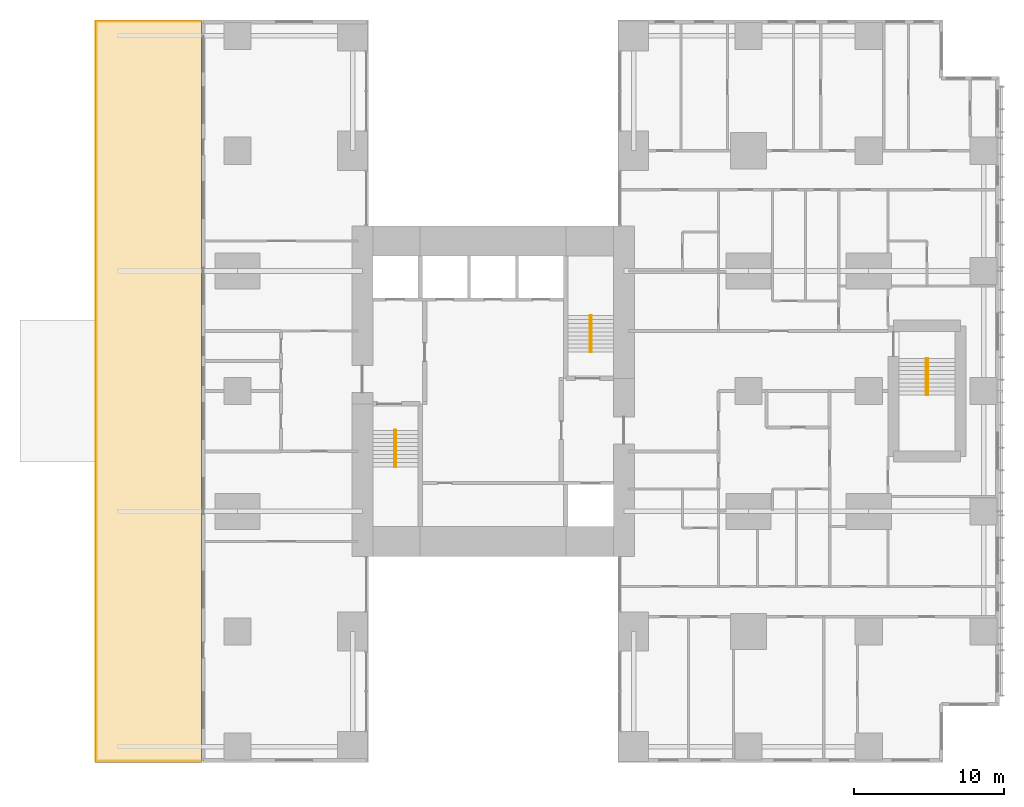
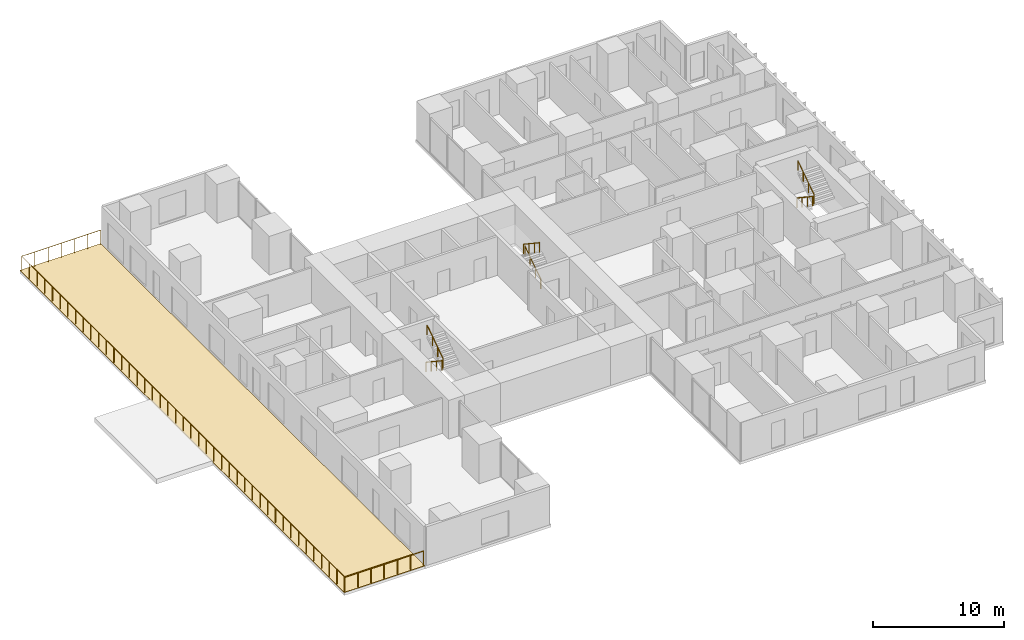
# One storey, part 15 of 15: 8 railings, 2 coverings.
"""IFC4 building model written with IfcOpenShell, lengths in metres."""

from ifc_helpers import new_model, si_unit, direction, frame, origin, origin_2d, place, context, subcontext, project, spatial, polyline, circle, outline, extrude, material, layer, layer_set, type_object, element, save


model = new_model("IFC4")

# Units and contexts
model_context = context("Model", 3, precision=1e-05, world=origin(), true_north=direction((0.0, 1.0)))
body_context = subcontext(model_context, "Body", "Model", "MODEL_VIEW")
ifc_project = project(units=[si_unit("LENGTHUNIT", "METRE"), si_unit("AREAUNIT", "SQUARE_METRE"), si_unit("VOLUMEUNIT", "CUBIC_METRE"), si_unit("PLANEANGLEUNIT", "RADIAN"), si_unit("MASSUNIT", "GRAM", prefix="KILO")], contexts=[model_context])

# Site, building, storey
site_placement = place(None, origin())
site = spatial("IfcSite", under=ifc_project, at=site_placement, CompositionType="ELEMENT")
building_placement = place(site_placement, origin())
building = spatial("IfcBuilding", under=site, at=building_placement, Name="Cleftline Residences", CompositionType="ELEMENT")
storey_placement = place(building_placement, frame((0.0, 0.0, 221.800048828125)))
storey = spatial("IfcBuildingStorey", under=building, at=storey_placement, Name="L58", CompositionType="ELEMENT", Elevation=221.800048828125)

# Railings
ifc_material_1 = material(Name="Stainless steel", Category="steel")
railing_type_1 = type_object("IfcRailingType", Name="HANDRAIL 900", PredefinedType="HANDRAIL", material=ifc_material_1)
railing_1_placement = place(storey_placement, frame((26.449951171875, 21.39990234375, 0.179931640625)))
element("IfcRailing", 1, at=railing_1_placement, inside=storey, type_object=railing_type_1, Name="Stair handrail", PredefinedType="HANDRAIL", context=body_context, shape_type="SweptSolid", body=[
    extrude(circle(Radius=0.02392578125, at=origin_2d()), frame((0.0, 0.0, 0.8759765625), z_axis=(0.0, -0.832024571796, 0.554738778101), x_axis=(1.0, 0.0, 0.0)), (0.0, 0.0, 1.0), 2.92041015625),
    extrude(circle(Radius=0.02099609375, at=origin_2d()), origin(), (0.0, 0.0, 1.0), 0.851806640625),
    extrude(circle(Radius=0.02099609375, at=origin_2d()), frame((0.0, -0.81005859375, 0.5400390625)), (0.0, 0.0, 1.0), 0.851806640625),
    extrude(circle(Radius=0.02099609375, at=origin_2d()), frame((0.0, -1.619873046875, 1.080078125)), (0.0, 0.0, 1.0), 0.851806640625),
    extrude(circle(Radius=0.02099609375, at=origin_2d()), frame((0.0, -2.429931640625, 1.6201171875)), (0.0, 0.0, 1.0), 0.851806640625),
])
railing_2_placement = place(storey_placement, frame((26.550048828125, 18.969970703125, 1.97998046875)))
element("IfcRailing", 2, at=railing_2_placement, inside=storey, type_object=railing_type_1, Name="Stair handrail", PredefinedType="HANDRAIL", context=body_context, shape_type="SweptSolid", body=[
    extrude(circle(Radius=0.02392578125, at=origin_2d()), frame((0.0, 0.0, 0.8759765625), z_axis=(0.0, 0.832063155534, 0.554680903946), x_axis=(-1.0, 0.0, 0.0)), (0.0, 0.0, 1.0), 2.92041015625),
    extrude(circle(Radius=0.02099609375, at=origin_2d()), origin(), (0.0, 0.0, 1.0), 0.851806640625),
    extrude(circle(Radius=0.02099609375, at=origin_2d()), frame((0.0, 0.81005859375, 0.5400390625)), (0.0, 0.0, 1.0), 0.851806640625),
    extrude(circle(Radius=0.02099609375, at=origin_2d()), frame((0.0, 1.619873046875, 1.079833984375)), (0.0, 0.0, 1.0), 0.851806640625),
    extrude(circle(Radius=0.02099609375, at=origin_2d()), frame((0.0, 2.429931640625, 1.619873046875)), (0.0, 0.0, 1.0), 0.851806640625),
])
railing_3_placement = place(storey_placement, frame((39.550048828125, 26.60009765625, 0.179931640625)))
element("IfcRailing", 3, at=railing_3_placement, inside=storey, type_object=railing_type_1, Name="Stair handrail", PredefinedType="HANDRAIL", context=body_context, shape_type="SweptSolid", body=[
    extrude(circle(Radius=0.02392578125, at=origin_2d()), frame((0.0, 0.0, 0.8759765625), z_axis=(0.0, 0.832024571796, 0.554738778101), x_axis=(-1.0, 0.0, 0.0)), (0.0, 0.0, 1.0), 2.92041015625),
    extrude(circle(Radius=0.02099609375, at=origin_2d()), origin(), (0.0, 0.0, 1.0), 0.851806640625),
    extrude(circle(Radius=0.02099609375, at=origin_2d()), frame((0.0, 0.81005859375, 0.5400390625)), (0.0, 0.0, 1.0), 0.851806640625),
    extrude(circle(Radius=0.02099609375, at=origin_2d()), frame((0.0, 1.619873046875, 1.080078125)), (0.0, 0.0, 1.0), 0.851806640625),
    extrude(circle(Radius=0.02099609375, at=origin_2d()), frame((0.0, 2.429931640625, 1.6201171875)), (0.0, 0.0, 1.0), 0.851806640625),
])
railing_4_placement = place(storey_placement, frame((39.449951171875, 29.030029296875, 1.97998046875)))
element("IfcRailing", 4, at=railing_4_placement, inside=storey, type_object=railing_type_1, Name="Stair handrail", PredefinedType="HANDRAIL", context=body_context, shape_type="SweptSolid", body=[
    extrude(circle(Radius=0.02392578125, at=origin_2d()), frame((0.0, 0.0, 0.8759765625), z_axis=(0.0, -0.832063155534, 0.554680903946), x_axis=(1.0, 0.0, 0.0)), (0.0, 0.0, 1.0), 2.92041015625),
    extrude(circle(Radius=0.02099609375, at=origin_2d()), origin(), (0.0, 0.0, 1.0), 0.851806640625),
    extrude(circle(Radius=0.02099609375, at=origin_2d()), frame((0.0, -0.81005859375, 0.5400390625)), (0.0, 0.0, 1.0), 0.851806640625),
    extrude(circle(Radius=0.02099609375, at=origin_2d()), frame((0.0, -1.619873046875, 1.079833984375)), (0.0, 0.0, 1.0), 0.851806640625),
    extrude(circle(Radius=0.02099609375, at=origin_2d()), frame((0.0, -2.429931640625, 1.619873046875)), (0.0, 0.0, 1.0), 0.851806640625),
])
railing_5_placement = place(storey_placement, frame((61.824951171875, 26.175048828125, 0.179931640625)))
element("IfcRailing", 5, at=railing_5_placement, inside=storey, type_object=railing_type_1, Name="Stair handrail", PredefinedType="HANDRAIL", context=body_context, shape_type="SweptSolid", body=[
    extrude(circle(Radius=0.02392578125, at=origin_2d()), frame((0.0, 0.0, 0.8759765625), z_axis=(0.0, -0.832024571796, 0.554738778101), x_axis=(1.0, 0.0, 0.0)), (0.0, 0.0, 1.0), 2.92041015625),
    extrude(circle(Radius=0.02099609375, at=origin_2d()), origin(), (0.0, 0.0, 1.0), 0.851806640625),
    extrude(circle(Radius=0.02099609375, at=origin_2d()), frame((0.0, -0.81005859375, 0.5400390625)), (0.0, 0.0, 1.0), 0.851806640625),
    extrude(circle(Radius=0.02099609375, at=origin_2d()), frame((0.0, -1.619873046875, 1.080078125)), (0.0, 0.0, 1.0), 0.851806640625),
    extrude(circle(Radius=0.02099609375, at=origin_2d()), frame((0.0, -2.429931640625, 1.6201171875)), (0.0, 0.0, 1.0), 0.851806640625),
])
railing_6_placement = place(storey_placement, frame((61.925048828125, 23.7451171875, 1.97998046875)))
element("IfcRailing", 6, at=railing_6_placement, inside=storey, type_object=railing_type_1, Name="Stair handrail", PredefinedType="HANDRAIL", context=body_context, shape_type="SweptSolid", body=[
    extrude(circle(Radius=0.02392578125, at=origin_2d()), frame((0.0, 0.0, 0.8759765625), z_axis=(0.0, 0.832063155534, 0.554680903946), x_axis=(-1.0, 0.0, 0.0)), (0.0, 0.0, 1.0), 2.92041015625),
    extrude(circle(Radius=0.02099609375, at=origin_2d()), origin(), (0.0, 0.0, 1.0), 0.851806640625),
    extrude(circle(Radius=0.02099609375, at=origin_2d()), frame((0.0, 0.81005859375, 0.5400390625)), (0.0, 0.0, 1.0), 0.851806640625),
    extrude(circle(Radius=0.02099609375, at=origin_2d()), frame((0.0, 1.619873046875, 1.079833984375)), (0.0, 0.0, 1.0), 0.851806640625),
    extrude(circle(Radius=0.02099609375, at=origin_2d()), frame((0.0, 2.429931640625, 1.619873046875)), (0.0, 0.0, 1.0), 0.851806640625),
])
ifc_material_2 = material(Name="Stainless steel and laminated glass", Category="steel")
railing_type_2 = type_object("IfcRailingType", Name="TERRACE GUARD 1400", PredefinedType="GUARDRAIL", material=ifc_material_2)
railing_7_placement = place(storey_placement, frame((6.60009765625, -0.60009765625, 0.0)))
element("IfcRailing", 7, at=railing_7_placement, inside=storey, type_object=railing_type_2, Name="Terrace guard", PredefinedType="GUARDRAIL", context=body_context, shape_type="SweptSolid", body=[
    extrude(circle(Radius=0.02392578125, at=origin_2d()), frame((0.0, 0.0, 1.3759765625), z_axis=(0.0, 1.0, 0.0), x_axis=(-1.0, 0.0, 0.0)), (0.0, 0.0, 1.0), 49.2001953125),
    extrude(circle(Radius=0.02392578125, at=origin_2d()), frame((0.0, 49.2001953125, 1.3759765625), z_axis=(1.0, 0.0, 0.0), x_axis=(0.0, 1.0, 0.0)), (0.0, 0.0, 1.0), 6.949951171875),
    extrude(circle(Radius=0.02099609375, at=origin_2d()), origin(), (0.0, 0.0, 1.0), 1.351806640625),
    extrude(circle(Radius=0.02099609375, at=origin_2d()), frame((0.0, 1.17138671875, 0.0)), (0.0, 0.0, 1.0), 1.351806640625),
    extrude(circle(Radius=0.02099609375, at=origin_2d()), frame((0.0, 2.3427734375, 0.0)), (0.0, 0.0, 1.0), 1.351806640625),
    extrude(circle(Radius=0.02099609375, at=origin_2d()), frame((0.0, 3.514404296875, 0.0)), (0.0, 0.0, 1.0), 1.351806640625),
    extrude(circle(Radius=0.02099609375, at=origin_2d()), frame((0.0, 4.685791015625, 0.0)), (0.0, 0.0, 1.0), 1.351806640625),
    extrude(circle(Radius=0.02099609375, at=origin_2d()), frame((0.0, 5.857177734375, 0.0)), (0.0, 0.0, 1.0), 1.351806640625),
    extrude(circle(Radius=0.02099609375, at=origin_2d()), frame((0.0, 7.028564453125, 0.0)), (0.0, 0.0, 1.0), 1.351806640625),
    extrude(circle(Radius=0.02099609375, at=origin_2d()), frame((0.0, 8.199951171875, 0.0)), (0.0, 0.0, 1.0), 1.351806640625),
    extrude(circle(Radius=0.02099609375, at=origin_2d()), frame((0.0, 9.37158203125, 0.0)), (0.0, 0.0, 1.0), 1.351806640625),
    extrude(circle(Radius=0.02099609375, at=origin_2d()), frame((0.0, 10.54296875, 0.0)), (0.0, 0.0, 1.0), 1.351806640625),
    extrude(circle(Radius=0.02099609375, at=origin_2d()), frame((0.0, 11.71435546875, 0.0)), (0.0, 0.0, 1.0), 1.351806640625),
    extrude(circle(Radius=0.02099609375, at=origin_2d()), frame((0.0, 12.8857421875, 0.0)), (0.0, 0.0, 1.0), 1.351806640625),
    extrude(circle(Radius=0.02099609375, at=origin_2d()), frame((0.0, 14.05712890625, 0.0)), (0.0, 0.0, 1.0), 1.351806640625),
    extrude(circle(Radius=0.02099609375, at=origin_2d()), frame((0.0, 15.228515625, 0.0)), (0.0, 0.0, 1.0), 1.351806640625),
    extrude(circle(Radius=0.02099609375, at=origin_2d()), frame((0.0, 16.400146484375, 0.0)), (0.0, 0.0, 1.0), 1.351806640625),
    extrude(circle(Radius=0.02099609375, at=origin_2d()), frame((0.0, 17.571533203125, 0.0)), (0.0, 0.0, 1.0), 1.351806640625),
    extrude(circle(Radius=0.02099609375, at=origin_2d()), frame((0.0, 18.742919921875, 0.0)), (0.0, 0.0, 1.0), 1.351806640625),
    extrude(circle(Radius=0.02099609375, at=origin_2d()), frame((0.0, 19.914306640625, 0.0)), (0.0, 0.0, 1.0), 1.351806640625),
    extrude(circle(Radius=0.02099609375, at=origin_2d()), frame((0.0, 21.085693359375, 0.0)), (0.0, 0.0, 1.0), 1.351806640625),
    extrude(circle(Radius=0.02099609375, at=origin_2d()), frame((0.0, 22.25732421875, 0.0)), (0.0, 0.0, 1.0), 1.351806640625),
    extrude(circle(Radius=0.02099609375, at=origin_2d()), frame((0.0, 23.4287109375, 0.0)), (0.0, 0.0, 1.0), 1.351806640625),
    extrude(circle(Radius=0.02099609375, at=origin_2d()), frame((0.0, 24.60009765625, 0.0)), (0.0, 0.0, 1.0), 1.351806640625),
    extrude(circle(Radius=0.02099609375, at=origin_2d()), frame((0.0, 25.771484375, 0.0)), (0.0, 0.0, 1.0), 1.351806640625),
    extrude(circle(Radius=0.02099609375, at=origin_2d()), frame((0.0, 26.94287109375, 0.0)), (0.0, 0.0, 1.0), 1.351806640625),
    extrude(circle(Radius=0.02099609375, at=origin_2d()), frame((0.0, 28.114501953125, 0.0)), (0.0, 0.0, 1.0), 1.351806640625),
    extrude(circle(Radius=0.02099609375, at=origin_2d()), frame((0.0, 29.285888671875, 0.0)), (0.0, 0.0, 1.0), 1.351806640625),
    extrude(circle(Radius=0.02099609375, at=origin_2d()), frame((0.0, 30.457275390625, 0.0)), (0.0, 0.0, 1.0), 1.351806640625),
    extrude(circle(Radius=0.02099609375, at=origin_2d()), frame((0.0, 31.628662109375, 0.0)), (0.0, 0.0, 1.0), 1.351806640625),
    extrude(circle(Radius=0.02099609375, at=origin_2d()), frame((0.0, 32.800048828125, 0.0)), (0.0, 0.0, 1.0), 1.351806640625),
    extrude(circle(Radius=0.02099609375, at=origin_2d()), frame((0.0, 33.9716796875, 0.0)), (0.0, 0.0, 1.0), 1.351806640625),
    extrude(circle(Radius=0.02099609375, at=origin_2d()), frame((0.0, 35.14306640625, 0.0)), (0.0, 0.0, 1.0), 1.351806640625),
    extrude(circle(Radius=0.02099609375, at=origin_2d()), frame((0.0, 36.314453125, 0.0)), (0.0, 0.0, 1.0), 1.351806640625),
    extrude(circle(Radius=0.02099609375, at=origin_2d()), frame((0.0, 37.48583984375, 0.0)), (0.0, 0.0, 1.0), 1.351806640625),
    extrude(circle(Radius=0.02099609375, at=origin_2d()), frame((0.0, 38.6572265625, 0.0)), (0.0, 0.0, 1.0), 1.351806640625),
    extrude(circle(Radius=0.02099609375, at=origin_2d()), frame((0.0, 39.82861328125, 0.0)), (0.0, 0.0, 1.0), 1.351806640625),
    extrude(circle(Radius=0.02099609375, at=origin_2d()), frame((0.0, 41.000244140625, 0.0)), (0.0, 0.0, 1.0), 1.351806640625),
    extrude(circle(Radius=0.02099609375, at=origin_2d()), frame((0.0, 42.171630859375, 0.0)), (0.0, 0.0, 1.0), 1.351806640625),
    extrude(circle(Radius=0.02099609375, at=origin_2d()), frame((0.0, 43.343017578125, 0.0)), (0.0, 0.0, 1.0), 1.351806640625),
    extrude(circle(Radius=0.02099609375, at=origin_2d()), frame((0.0, 44.514404296875, 0.0)), (0.0, 0.0, 1.0), 1.351806640625),
    extrude(circle(Radius=0.02099609375, at=origin_2d()), frame((0.0, 45.685791015625, 0.0)), (0.0, 0.0, 1.0), 1.351806640625),
    extrude(circle(Radius=0.02099609375, at=origin_2d()), frame((0.0, 46.857421875, 0.0)), (0.0, 0.0, 1.0), 1.351806640625),
    extrude(circle(Radius=0.02099609375, at=origin_2d()), frame((0.0, 48.02880859375, 0.0)), (0.0, 0.0, 1.0), 1.351806640625),
    extrude(circle(Radius=0.02099609375, at=origin_2d()), frame((0.0, 49.2001953125, 0.0)), (0.0, 0.0, 1.0), 1.351806640625),
    extrude(circle(Radius=0.02099609375, at=origin_2d()), frame((1.158203125, 49.2001953125, 0.0)), (0.0, 0.0, 1.0), 1.351806640625),
    extrude(circle(Radius=0.02099609375, at=origin_2d()), frame((2.316650390625, 49.2001953125, 0.0)), (0.0, 0.0, 1.0), 1.351806640625),
    extrude(circle(Radius=0.02099609375, at=origin_2d()), frame((3.47509765625, 49.2001953125, 0.0)), (0.0, 0.0, 1.0), 1.351806640625),
    extrude(circle(Radius=0.02099609375, at=origin_2d()), frame((4.63330078125, 49.2001953125, 0.0)), (0.0, 0.0, 1.0), 1.351806640625),
    extrude(circle(Radius=0.02099609375, at=origin_2d()), frame((5.79150390625, 49.2001953125, 0.0)), (0.0, 0.0, 1.0), 1.351806640625),
    extrude(circle(Radius=0.02099609375, at=origin_2d()), frame((6.949951171875, 49.2001953125, 0.0)), (0.0, 0.0, 1.0), 1.351806640625),
])
railing_8_placement = place(storey_placement, frame((13.550048828125, -0.60009765625, 0.0)))
element("IfcRailing", 8, at=railing_8_placement, inside=storey, type_object=railing_type_2, Name="Terrace guard", PredefinedType="GUARDRAIL", context=body_context, shape_type="SweptSolid", body=[
    extrude(circle(Radius=0.02392578125, at=origin_2d()), frame((0.0, 0.0, 1.3759765625), z_axis=(-1.0, 0.0, 0.0), x_axis=(0.0, -1.0, 0.0)), (0.0, 0.0, 1.0), 6.949951171875),
    extrude(circle(Radius=0.02099609375, at=origin_2d()), origin(), (0.0, 0.0, 1.0), 1.351806640625),
    extrude(circle(Radius=0.02099609375, at=origin_2d()), frame((-1.158203125, 0.0, 0.0)), (0.0, 0.0, 1.0), 1.351806640625),
    extrude(circle(Radius=0.02099609375, at=origin_2d()), frame((-2.316650390625, 0.0, 0.0)), (0.0, 0.0, 1.0), 1.351806640625),
    extrude(circle(Radius=0.02099609375, at=origin_2d()), frame((-3.47509765625, 0.0, 0.0)), (0.0, 0.0, 1.0), 1.351806640625),
    extrude(circle(Radius=0.02099609375, at=origin_2d()), frame((-4.63330078125, 0.0, 0.0)), (0.0, 0.0, 1.0), 1.351806640625),
    extrude(circle(Radius=0.02099609375, at=origin_2d()), frame((-5.79150390625, 0.0, 0.0)), (0.0, 0.0, 1.0), 1.351806640625),
    extrude(circle(Radius=0.02099609375, at=origin_2d()), frame((-6.949951171875, 0.0, 0.0)), (0.0, 0.0, 1.0), 1.351806640625),
])

# Coverings
ifc_material_3 = material(Name="Porcelain paving on adhesive bed")
ifc_layer_1 = layer(ifc_material_3, 0.0400390625)
ifc_layer_set_1 = layer_set([ifc_layer_1], Name="TERRACE PAVING 40")
covering_type_1 = type_object("IfcCoveringType", Name="TERRACE PAVING 40", PredefinedType="FLOORING", material=ifc_layer_set_1)
covering_1_placement = place(storey_placement, frame((0.0, 0.0, 0.0048828125)))
element("IfcCovering", 9, at=covering_1_placement, inside=storey, type_object=covering_type_1, Name="Terrace paving L58 1", PredefinedType="FLOORING", context=body_context, shape_type="SweptSolid", body=[
    extrude(outline(polyline([(13.590087890625, -0.699951171875), (13.591064453125, -0.699951171875), (13.592041015625, -0.69970703125), (13.593017578125, -0.69970703125), (13.59375, -0.69921875), (13.5947265625, -0.69873046875), (13.595703125, -0.6982421875), (13.59619140625, -0.69775390625), (13.59716796875, -0.697021484375), (13.59765625, -0.6962890625), (13.598388671875, -0.695556640625), (13.598876953125, -0.694580078125), (13.59912109375, -0.69384765625), (13.599609375, -0.69287109375), (13.599853515625, -0.69189453125), (13.60009765625, -0.69091796875), (13.60009765625, -0.68994140625), (13.60009765625, -0.580078125), (13.594970703125, -0.580078125), (13.594970703125, 48.580078125), (13.60009765625, 48.580078125), (13.60009765625, 48.68994140625), (13.60009765625, 48.69091796875), (13.599853515625, 48.69189453125), (13.599609375, 48.69287109375), (13.59912109375, 48.69384765625), (13.598876953125, 48.694580078125), (13.598388671875, 48.695556640625), (13.59765625, 48.6962890625), (13.59716796875, 48.697021484375), (13.59619140625, 48.69775390625), (13.595703125, 48.6982421875), (13.5947265625, 48.69873046875), (13.59375, 48.69921875), (13.593017578125, 48.69970703125), (13.592041015625, 48.69970703125), (13.591064453125, 48.699951171875), (13.590087890625, 48.699951171875), (6.510009765625, 48.699951171875), (6.509033203125, 48.699951171875), (6.508056640625, 48.69970703125), (6.507080078125, 48.69970703125), (6.506103515625, 48.69921875), (6.50537109375, 48.69873046875), (6.50439453125, 48.6982421875), (6.503662109375, 48.69775390625), (6.5029296875, 48.697021484375), (6.502197265625, 48.6962890625), (6.501708984375, 48.695556640625), (6.501220703125, 48.694580078125), (6.500732421875, 48.69384765625), (6.50048828125, 48.69287109375), (6.500244140625, 48.69189453125), (6.5, 48.69091796875), (6.5, 48.68994140625), (6.5, -0.68994140625), (6.5, -0.69091796875), (6.500244140625, -0.69189453125), (6.50048828125, -0.69287109375), (6.500732421875, -0.69384765625), (6.501220703125, -0.694580078125), (6.501708984375, -0.695556640625), (6.502197265625, -0.6962890625), (6.5029296875, -0.697021484375), (6.503662109375, -0.69775390625), (6.50439453125, -0.6982421875), (6.50537109375, -0.69873046875), (6.506103515625, -0.69921875), (6.507080078125, -0.69970703125), (6.508056640625, -0.69970703125), (6.509033203125, -0.699951171875), (6.510009765625, -0.699951171875), (13.590087890625, -0.699951171875)])), origin(), (0.0, 0.0, 1.0), 0.0400390625),
])
ifc_material_4 = material(Name="Liquid-applied polyurethane waterproofing")
ifc_layer_2 = layer(ifc_material_4, 0.0048828125)
ifc_layer_set_2 = layer_set([ifc_layer_2], Name="TERRACE WATERPROOFING 5")
covering_type_2 = type_object("IfcCoveringType", Name="TERRACE WATERPROOFING 5", PredefinedType="ROOFING", material=ifc_layer_set_2)
covering_2_placement = place(storey_placement, origin())
element("IfcCovering", 10, at=covering_2_placement, inside=storey, type_object=covering_type_2, Name="Terrace waterproofing L58 1", PredefinedType="ROOFING", context=body_context, shape_type="SweptSolid", body=[
    extrude(outline(polyline([(13.590087890625, -0.699951171875), (13.591064453125, -0.699951171875), (13.592041015625, -0.69970703125), (13.593017578125, -0.69970703125), (13.59375, -0.69921875), (13.5947265625, -0.69873046875), (13.595703125, -0.6982421875), (13.59619140625, -0.69775390625), (13.59716796875, -0.697021484375), (13.59765625, -0.6962890625), (13.598388671875, -0.695556640625), (13.598876953125, -0.694580078125), (13.59912109375, -0.69384765625), (13.599609375, -0.69287109375), (13.599853515625, -0.69189453125), (13.60009765625, -0.69091796875), (13.60009765625, -0.68994140625), (13.60009765625, -0.580078125), (13.594970703125, -0.580078125), (13.594970703125, 48.580078125), (13.60009765625, 48.580078125), (13.60009765625, 48.68994140625), (13.60009765625, 48.69091796875), (13.599853515625, 48.69189453125), (13.599609375, 48.69287109375), (13.59912109375, 48.69384765625), (13.598876953125, 48.694580078125), (13.598388671875, 48.695556640625), (13.59765625, 48.6962890625), (13.59716796875, 48.697021484375), (13.59619140625, 48.69775390625), (13.595703125, 48.6982421875), (13.5947265625, 48.69873046875), (13.59375, 48.69921875), (13.593017578125, 48.69970703125), (13.592041015625, 48.69970703125), (13.591064453125, 48.699951171875), (13.590087890625, 48.699951171875), (6.510009765625, 48.699951171875), (6.509033203125, 48.699951171875), (6.508056640625, 48.69970703125), (6.507080078125, 48.69970703125), (6.506103515625, 48.69921875), (6.50537109375, 48.69873046875), (6.50439453125, 48.6982421875), (6.503662109375, 48.69775390625), (6.5029296875, 48.697021484375), (6.502197265625, 48.6962890625), (6.501708984375, 48.695556640625), (6.501220703125, 48.694580078125), (6.500732421875, 48.69384765625), (6.50048828125, 48.69287109375), (6.500244140625, 48.69189453125), (6.5, 48.69091796875), (6.5, 48.68994140625), (6.5, -0.68994140625), (6.5, -0.69091796875), (6.500244140625, -0.69189453125), (6.50048828125, -0.69287109375), (6.500732421875, -0.69384765625), (6.501220703125, -0.694580078125), (6.501708984375, -0.695556640625), (6.502197265625, -0.6962890625), (6.5029296875, -0.697021484375), (6.503662109375, -0.69775390625), (6.50439453125, -0.6982421875), (6.50537109375, -0.69873046875), (6.506103515625, -0.69921875), (6.507080078125, -0.69970703125), (6.508056640625, -0.69970703125), (6.509033203125, -0.699951171875), (6.510009765625, -0.699951171875), (13.590087890625, -0.699951171875)])), origin(), (0.0, 0.0, 1.0), 0.0048828125),
])

save(model, "model.ifc")
